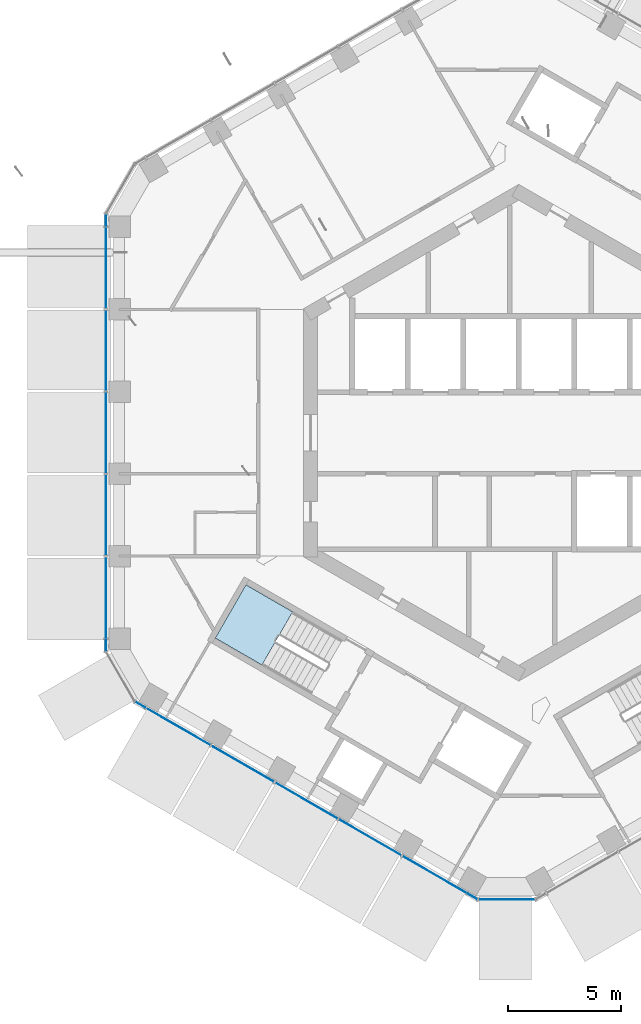
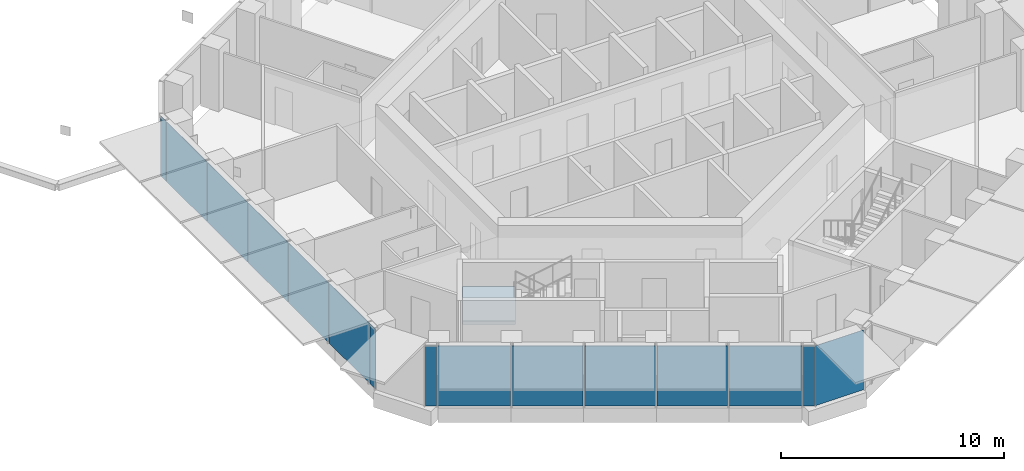
# One storey, part 8 of 21: 15 plates, 1 slab, 6 elements without a shape of their own.
"""IFC4 building model written with IfcOpenShell, lengths in metres."""

from ifc_helpers import new_model, si_unit, direction, frame, origin, origin_2d, place, context, subcontext, project, spatial, polyline, rectangle, outline, extrude, material, layer, layer_set, type_object, element, aggregate, save


model = new_model("IFC4")

# Units and contexts
model_context = context("Model", 3, precision=1e-05, world=origin(), true_north=direction((0.0, 1.0)))
body_context = subcontext(model_context, "Body", "Model", "MODEL_VIEW")
ifc_project = project(units=[si_unit("LENGTHUNIT", "METRE"), si_unit("AREAUNIT", "SQUARE_METRE"), si_unit("VOLUMEUNIT", "CUBIC_METRE"), si_unit("PLANEANGLEUNIT", "RADIAN"), si_unit("MASSUNIT", "GRAM", prefix="KILO")], contexts=[model_context])

# Site, building, storey
site_placement = place(None, origin())
site = spatial("IfcSite", under=ifc_project, at=site_placement, CompositionType="ELEMENT")
building_placement = place(site_placement, origin())
building = spatial("IfcBuilding", under=site, at=building_placement, Name="Ayvan Gate Tower", CompositionType="ELEMENT")
storey_placement = place(building_placement, frame((0.0, 0.0, 183.300048828125)))
storey = spatial("IfcBuildingStorey", under=building, at=storey_placement, Name="L49", CompositionType="ELEMENT", Elevation=183.300048828125)

# Stair, slab
ifc_material_1 = material(Name="Concrete C40/50", Category="concrete")
stair_type = type_object("IfcStairType", Name="ST-EXIT", PredefinedType="HALF_TURN_STAIR", material=ifc_material_1)
stair_placement = place(storey_placement, origin())
stair = element("IfcStair", 1, at=stair_placement, inside=storey, type_object=stair_type, Name="L49 Exit Stair S2", PredefinedType="HALF_TURN_STAIR")
ifc_layer_1 = layer(ifc_material_1, 0.199951171875)
ifc_layer_set_1 = layer_set([ifc_layer_1], Name="Concrete C40/50")
slab_type = type_object("IfcSlabType", Name="SL-LANDING-200", PredefinedType="LANDING", material=ifc_layer_set_1)
slab_placement = place(storey_placement, frame((0.0, 0.0, 1.5)))
slab = element("IfcSlab", 2, at=slab_placement, type_object=slab_type, Name="STS2 landing 1", PredefinedType="LANDING", context=body_context, shape_type="SweptSolid", body=[
    extrude(outline(polyline([(-9.988525390625, -7.91064453125), (-12.049560546875, -6.720458984375), (-13.404541015625, -9.0673828125), (-11.343505859375, -10.257568359375), (-9.988525390625, -7.91064453125)])), origin(), (0.0, 0.0, 1.0), 0.199951171875),
])
aggregate(stair, [slab])

# Curtain wall, plates
ifc_material_2 = material(Name="Bronze anodised aluminium", Category="aluminium")
ifc_layer_2 = layer(ifc_material_2, 0.199951171875)
ifc_layer_set_2 = layer_set([ifc_layer_2], Name="Bronze anodised aluminium")
curtain_wall_type_1 = type_object("IfcCurtainWallType", Name="Stick curtain wall CW-2", PredefinedType="NOTDEFINED", material=ifc_layer_set_2)
curtain_wall_1_placement = place(storey_placement, origin())
curtain_wall_1 = element("IfcCurtainWall", 3, at=curtain_wall_1_placement, inside=storey, type_object=curtain_wall_type_1, Name="Stick curtain wall CW-2 L49", PredefinedType="NOTDEFINED")
ifc_material_3 = material(Name="Clear low-iron laminated glass", Category="glass")
ifc_layer_3 = layer(ifc_material_3, 0.028076171875)
ifc_layer_set_3 = layer_set([ifc_layer_3], Name="Clear low-iron laminated glass")
plate_type_1 = type_object("IfcPlateType", Name="Stick curtain wall CW-2 glass panel", PredefinedType="CURTAIN_PANEL", material=ifc_layer_set_3)
plate_1_placement = place(storey_placement, frame((-18.227294921875, 7.303955078125, 0.0), z_axis=(0.0, 0.0, 1.0), x_axis=(0.0, -1.0, 0.0)))
plate_1 = element("IfcPlate", 4, at=plate_1_placement, type_object=plate_type_1, Name="CW-2 glass panel 1", PredefinedType="CURTAIN_PANEL", context=body_context, shape_type="SweptSolid", body=[
    extrude(rectangle(XDim=3.6259765625, YDim=0.028076171875, at=origin_2d()), origin(), (0.0, 0.0, 1.0), 3.280029296875),
])
plate_2_placement = place(storey_placement, frame((-18.227294921875, 0.0, 0.0), z_axis=(0.0, 0.0, 1.0), x_axis=(0.0, -1.0, 0.0)))
plate_2 = element("IfcPlate", 5, at=plate_2_placement, type_object=plate_type_1, Name="CW-2 glass panel 3", PredefinedType="CURTAIN_PANEL", context=body_context, shape_type="SweptSolid", body=[
    extrude(rectangle(XDim=3.568115234375, YDim=0.028076171875, at=origin_2d()), origin(), (0.0, 0.0, 1.0), 3.280029296875),
])
plate_3_placement = place(storey_placement, frame((-18.227294921875, -3.637451171875, 0.0), z_axis=(0.0, 0.0, 1.0), x_axis=(0.0, -1.0, 0.0)))
plate_3 = element("IfcPlate", 6, at=plate_3_placement, type_object=plate_type_1, Name="CW-2 glass panel 4", PredefinedType="CURTAIN_PANEL", context=body_context, shape_type="SweptSolid", body=[
    extrude(rectangle(XDim=3.56689453125, YDim=0.028076171875, at=origin_2d()), origin(), (0.0, 0.0, 1.0), 3.280029296875),
])
plate_4_placement = place(storey_placement, frame((-18.227294921875, -7.303955078125, 0.0), z_axis=(0.0, 0.0, 1.0), x_axis=(0.0, -1.0, 0.0)))
plate_4 = element("IfcPlate", 7, at=plate_4_placement, type_object=plate_type_1, Name="CW-2 glass panel 5", PredefinedType="CURTAIN_PANEL", context=body_context, shape_type="SweptSolid", body=[
    extrude(rectangle(XDim=3.6259765625, YDim=0.028076171875, at=origin_2d()), origin(), (0.0, 0.0, 1.0), 3.280029296875),
])

curtain_wall_2_placement = place(storey_placement, origin())
curtain_wall_2 = element("IfcCurtainWall", 8, at=curtain_wall_2_placement, inside=storey, type_object=curtain_wall_type_1, Name="Stick curtain wall CW-2 L49", PredefinedType="NOTDEFINED")
plate_5_placement = place(storey_placement, frame((-15.0517578125, -12.973876953125, 0.0), z_axis=(0.0, 0.0, 1.0), x_axis=(0.866025403784, -0.5, 0.0)))
plate_5 = element("IfcPlate", 9, at=plate_5_placement, type_object=plate_type_1, Name="CW-2 glass panel 1", PredefinedType="CURTAIN_PANEL", context=body_context, shape_type="SweptSolid", body=[
    extrude(rectangle(XDim=3.287109375, YDim=0.028076171875, at=origin_2d()), origin(), (0.0, 0.0, 1.0), 3.280029296875),
])
plate_6_placement = place(storey_placement, frame((-12.192138671875, -14.624755859375, 0.0), z_axis=(0.0, 0.0, 1.0), x_axis=(0.866025403784, -0.5, 0.0)))
plate_6 = element("IfcPlate", 10, at=plate_6_placement, type_object=plate_type_1, Name="CW-2 glass panel 2", PredefinedType="CURTAIN_PANEL", context=body_context, shape_type="SweptSolid", body=[
    extrude(rectangle(XDim=3.177001953125, YDim=0.028076171875, at=origin_2d()), origin(), (0.0, 0.0, 1.0), 3.280029296875),
])
plate_7_placement = place(storey_placement, frame((-9.380615234375, -16.248046875, 0.0), z_axis=(0.0, 0.0, 1.0), x_axis=(0.866025403784, -0.5, 0.0)))
plate_7 = element("IfcPlate", 11, at=plate_7_placement, type_object=plate_type_1, Name="CW-2 glass panel 3", PredefinedType="CURTAIN_PANEL", context=body_context, shape_type="SweptSolid", body=[
    extrude(rectangle(XDim=3.176025390625, YDim=0.028076171875, at=origin_2d()), origin(), (0.0, 0.0, 1.0), 3.280029296875),
])
plate_8_placement = place(storey_placement, frame((-6.569091796875, -17.871337890625, 0.0), z_axis=(0.0, 0.0, 1.0), x_axis=(0.866025403784, -0.5, 0.0)))
plate_8 = element("IfcPlate", 12, at=plate_8_placement, type_object=plate_type_1, Name="CW-2 glass panel 4", PredefinedType="CURTAIN_PANEL", context=body_context, shape_type="SweptSolid", body=[
    extrude(rectangle(XDim=3.177001953125, YDim=0.028076171875, at=origin_2d()), origin(), (0.0, 0.0, 1.0), 3.280029296875),
])
plate_9_placement = place(storey_placement, frame((-3.709716796875, -19.522216796875, 0.0), z_axis=(0.0, 0.0, 1.0), x_axis=(0.866025403784, -0.5, 0.0)))
plate_9 = element("IfcPlate", 13, at=plate_9_placement, type_object=plate_type_1, Name="CW-2 glass panel 5", PredefinedType="CURTAIN_PANEL", context=body_context, shape_type="SweptSolid", body=[
    extrude(rectangle(XDim=3.286865234375, YDim=0.028076171875, at=origin_2d()), origin(), (0.0, 0.0, 1.0), 3.280029296875),
])
aggregate(curtain_wall_2, [plate_5, plate_6, plate_7, plate_8, plate_9])

# Plate
ifc_material_4 = material(Name="Pale anodised aluminium composite panel", Category="aluminium")
ifc_layer_4 = layer(ifc_material_4, 0.028076171875)
ifc_layer_set_4 = layer_set([ifc_layer_4], Name="Pale anodised aluminium composite panel")
plate_type_2 = type_object("IfcPlateType", Name="Stick curtain wall CW-2 solid panel", PredefinedType="CURTAIN_PANEL", material=ifc_layer_set_4)
plate_10_placement = place(storey_placement, frame((-18.227294921875, 3.637451171875, 0.0), z_axis=(0.0, 0.0, 1.0), x_axis=(0.0, -1.0, 0.0)))
plate_10 = element("IfcPlate", 14, at=plate_10_placement, type_object=plate_type_2, Name="CW-2 solid panel 2", PredefinedType="CURTAIN_PANEL", context=body_context, shape_type="SweptSolid", body=[
    extrude(rectangle(XDim=3.56689453125, YDim=0.028076171875, at=origin_2d()), origin(), (0.0, 0.0, 1.0), 3.280029296875),
])

aggregate(curtain_wall_1, [plate_1, plate_10, plate_2, plate_3, plate_4])

# Curtain wall, plate
ifc_layer_5 = layer(ifc_material_2, 0.199951171875)
ifc_layer_set_5 = layer_set([ifc_layer_5], Name="Bronze anodised aluminium")
curtain_wall_type_2 = type_object("IfcCurtainWallType", Name="Stick curtain wall CW-6", PredefinedType="NOTDEFINED", material=ifc_layer_set_5)
curtain_wall_3_placement = place(storey_placement, origin())
curtain_wall_3 = element("IfcCurtainWall", 15, at=curtain_wall_3_placement, inside=storey, type_object=curtain_wall_type_2, Name="Stick curtain wall CW-6 L49", PredefinedType="NOTDEFINED")
ifc_layer_6 = layer(ifc_material_3, 0.028076171875)
ifc_layer_set_6 = layer_set([ifc_layer_6], Name="Clear low-iron laminated glass")
plate_type_3 = type_object("IfcPlateType", Name="Stick curtain wall CW-6 glass panel", PredefinedType="CURTAIN_PANEL", material=ifc_layer_set_6)
plate_11_placement = place(storey_placement, frame((-18.227294921875, 9.402099609375, 0.0), z_axis=(0.0, 0.0, 1.0), x_axis=(0.0, -1.0, 0.0)))
plate_11 = element("IfcPlate", 16, at=plate_11_placement, type_object=plate_type_3, Name="CW-6 glass panel 3", PredefinedType="CURTAIN_PANEL", context=body_context, shape_type="SweptSolid", body=[
    extrude(rectangle(XDim=0.5, YDim=0.028076171875, at=origin_2d()), origin(), (0.0, 0.0, 1.0), 3.280029296875),
])
aggregate(curtain_wall_3, [plate_11])

# Curtain wall, plates
curtain_wall_4_placement = place(storey_placement, origin())
curtain_wall_4 = element("IfcCurtainWall", 17, at=curtain_wall_4_placement, inside=storey, type_object=curtain_wall_type_2, Name="Stick curtain wall CW-6 L49", PredefinedType="NOTDEFINED")
plate_12_placement = place(storey_placement, frame((-18.227294921875, -9.402099609375, 0.0), z_axis=(0.0, 0.0, 1.0), x_axis=(0.0, -1.0, 0.0)))
plate_12 = element("IfcPlate", 18, at=plate_12_placement, type_object=plate_type_3, Name="CW-6 glass panel 1", PredefinedType="CURTAIN_PANEL", context=body_context, shape_type="SweptSolid", body=[
    extrude(rectangle(XDim=0.5, YDim=0.028076171875, at=origin_2d()), origin(), (0.0, 0.0, 1.0), 3.280029296875),
])
plate_13_placement = place(storey_placement, frame((-16.721923828125, -12.009521484375, 0.0), z_axis=(0.0, 0.0, 1.0), x_axis=(0.866025403784, -0.5, 0.0)))
plate_13 = element("IfcPlate", 19, at=plate_13_placement, type_object=plate_type_3, Name="CW-6 glass panel 3", PredefinedType="CURTAIN_PANEL", context=body_context, shape_type="SweptSolid", body=[
    extrude(rectangle(XDim=0.5, YDim=0.028076171875, at=origin_2d()), origin(), (0.0, 0.0, 1.0), 3.280029296875),
])
aggregate(curtain_wall_4, [plate_12, plate_13])

curtain_wall_5_placement = place(storey_placement, origin())
curtain_wall_5 = element("IfcCurtainWall", 20, at=curtain_wall_5_placement, inside=storey, type_object=curtain_wall_type_2, Name="Stick curtain wall CW-6 L49", PredefinedType="NOTDEFINED")
plate_14_placement = place(storey_placement, frame((-2.03955078125, -20.486328125, 0.0), z_axis=(0.0, 0.0, 1.0), x_axis=(0.866025403784, -0.5, 0.0)))
plate_14 = element("IfcPlate", 21, at=plate_14_placement, type_object=plate_type_3, Name="CW-6 glass panel 1", PredefinedType="CURTAIN_PANEL", context=body_context, shape_type="SweptSolid", body=[
    extrude(rectangle(XDim=0.5, YDim=0.028076171875, at=origin_2d()), origin(), (0.0, 0.0, 1.0), 3.280029296875),
])
plate_15_placement = place(storey_placement, frame((-0.5341796875, -20.6240234375, 0.0), z_axis=(0.0, 0.0, 1.0), x_axis=(1.0, 0.0, 0.0)))
plate_15 = element("IfcPlate", 22, at=plate_15_placement, type_object=plate_type_3, Name="CW-6 glass panel 2", PredefinedType="CURTAIN_PANEL", context=body_context, shape_type="SweptSolid", body=[
    extrude(rectangle(XDim=2.484619140625, YDim=0.028076171875, at=origin_2d()), origin(), (0.0, 0.0, 1.0), 3.280029296875),
])
aggregate(curtain_wall_5, [plate_14, plate_15])

save(model, "model.ifc")
